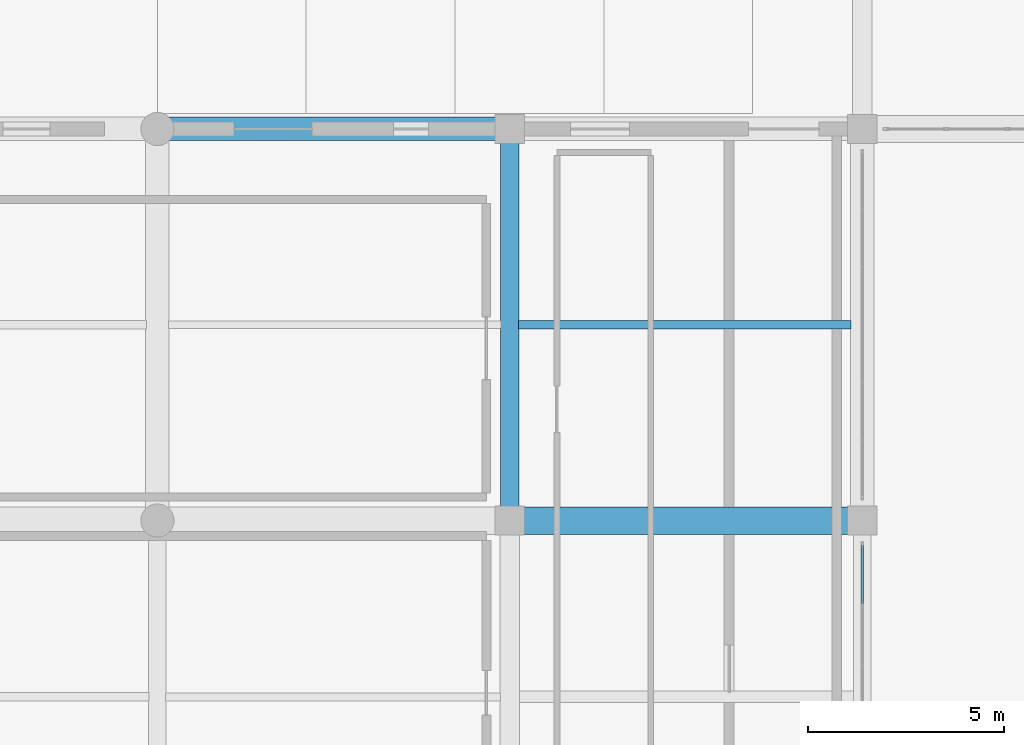
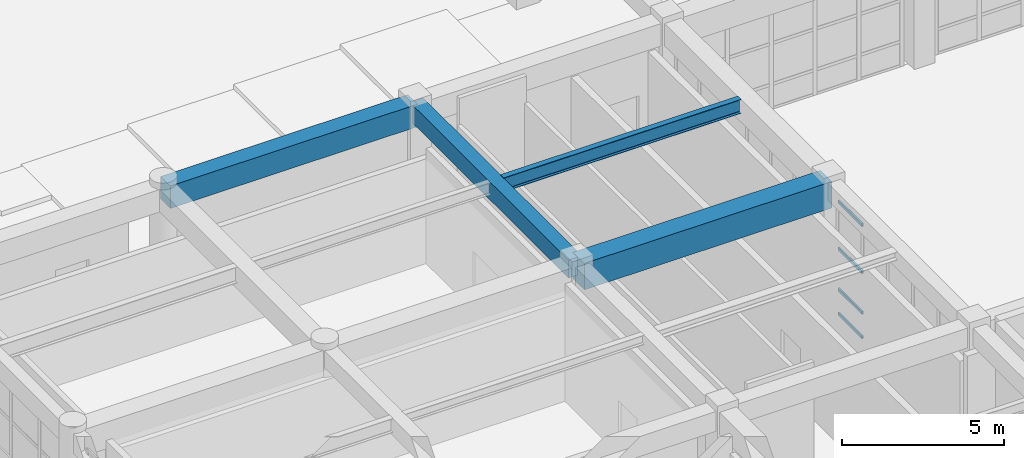
# One storey, part 24 of 128: 4 beams, 4 members, 1 element without a shape of its own.
"""IFC4 building model written with IfcOpenShell, lengths in metres."""

from ifc_helpers import new_model, si_unit, direction, frame, origin, origin_2d, place, context, subcontext, project, spatial, rectangle, hollow_rectangle, i_section, extrude, material, material_profile, profile_set, type_object, element, aggregate, save


model = new_model("IFC4")

# Units and contexts
model_context = context("Model", 3, precision=1e-05, world=origin(), true_north=direction((0.0, 1.0)))
body_context = subcontext(model_context, "Body", "Model", "MODEL_VIEW")
ifc_project = project(units=[si_unit("LENGTHUNIT", "METRE"), si_unit("AREAUNIT", "SQUARE_METRE"), si_unit("VOLUMEUNIT", "CUBIC_METRE"), si_unit("PLANEANGLEUNIT", "RADIAN"), si_unit("MASSUNIT", "GRAM", prefix="KILO")], contexts=[model_context])

# Site, building, storey
site_placement = place(None, origin())
site = spatial("IfcSite", under=ifc_project, at=site_placement, CompositionType="ELEMENT")
building_placement = place(site_placement, origin())
building = spatial("IfcBuilding", under=site, at=building_placement, Name="Miravela Opera House", CompositionType="ELEMENT")
storey_placement = place(building_placement, origin())
storey = spatial("IfcBuildingStorey", under=building, at=storey_placement, Name="L00", CompositionType="ELEMENT", Elevation=0.0)

# Curtain wall, members
ifc_material_1 = material(Name="Anodised architectural bronze aluminium 6063-T6", Category="aluminium")
curtain_wall_type = type_object("IfcCurtainWallType", Name="ARC-CW-06", PredefinedType="NOTDEFINED", material=ifc_material_1)
curtain_wall_placement = place(storey_placement, origin())
curtain_wall = element("IfcCurtainWall", 1, at=curtain_wall_placement, inside=storey, type_object=curtain_wall_type, Name="Courtyard Arcade Curtain Wall CW-L00-121", PredefinedType="NOTDEFINED")
ifc_material_profile_1 = material_profile(ifc_material_1, hollow_rectangle(XDim=0.06005859375, YDim=0.114990234375, WallThickness=0.00390625, InnerFilletRadius=0.001953125, OuterFilletRadius=0.00390625, at=origin_2d()), Name="CWT-60X115")
ifc_profile_set_1 = profile_set([ifc_material_profile_1])
member_type = type_object("IfcMemberType", Name="ARC-CWT-115", PredefinedType="USERDEFINED", material=ifc_profile_set_1)
member_1_placement = place(storey_placement, frame((27.0, 15.882080078125, 0.030029296875), z_axis=(0.0, 1.0, 0.0), x_axis=(-1.0, 0.0, 0.0)))
member_1 = element("IfcMember", 2, at=member_1_placement, type_object=member_type, Name="CW-06 transom 5.1", ObjectType="TRANSOM", PredefinedType="USERDEFINED", context=body_context, shape_type="SweptSolid", body=[
    extrude(hollow_rectangle(XDim=0.06005859375, YDim=0.114990234375, WallThickness=0.00390625, InnerFilletRadius=0.001953125, OuterFilletRadius=0.00390625, at=origin_2d()), origin(), (0.0, 0.0, 1.0), 1.47802734375),
])
member_2_placement = place(storey_placement, frame((27.0, 15.882080078125, 0.949951171875), z_axis=(0.0, 1.0, 0.0), x_axis=(-1.0, 0.0, 0.0)))
member_2 = element("IfcMember", 3, at=member_2_placement, type_object=member_type, Name="CW-06 transom 5.2", ObjectType="TRANSOM", PredefinedType="USERDEFINED", context=body_context, shape_type="SweptSolid", body=[
    extrude(hollow_rectangle(XDim=0.06005859375, YDim=0.114990234375, WallThickness=0.00390625, InnerFilletRadius=0.001953125, OuterFilletRadius=0.00390625, at=origin_2d()), origin(), (0.0, 0.0, 1.0), 1.47802734375),
])
member_3_placement = place(storey_placement, frame((27.0, 15.882080078125, 2.493896484375), z_axis=(0.0, 1.0, 0.0), x_axis=(-1.0, 0.0, 0.0)))
member_3 = element("IfcMember", 4, at=member_3_placement, type_object=member_type, Name="CW-06 transom 5.3", ObjectType="TRANSOM", PredefinedType="USERDEFINED", context=body_context, shape_type="SweptSolid", body=[
    extrude(hollow_rectangle(XDim=0.06005859375, YDim=0.114990234375, WallThickness=0.00390625, InnerFilletRadius=0.001953125, OuterFilletRadius=0.00390625, at=origin_2d()), origin(), (0.0, 0.0, 1.0), 1.47802734375),
])
member_4_placement = place(storey_placement, frame((27.0, 15.882080078125, 4.27001953125), z_axis=(0.0, 1.0, 0.0), x_axis=(-1.0, 0.0, 0.0)))
member_4 = element("IfcMember", 5, at=member_4_placement, type_object=member_type, Name="CW-06 transom 5.4", ObjectType="TRANSOM", PredefinedType="USERDEFINED", context=body_context, shape_type="SweptSolid", body=[
    extrude(hollow_rectangle(XDim=0.06005859375, YDim=0.114990234375, WallThickness=0.00390625, InnerFilletRadius=0.001953125, OuterFilletRadius=0.00390625, at=origin_2d()), origin(), (0.0, 0.0, 1.0), 1.47802734375),
])
aggregate(curtain_wall, [member_1, member_2, member_3, member_4])

# Beams
ifc_material_2 = material(Name="Concrete C35/45", Category="concrete")
ifc_material_profile_2 = material_profile(ifc_material_2, rectangle(XDim=0.47998046875, YDim=0.679931640625, at=origin_2d()), Name="RC-BM-480X680")
ifc_profile_set_2 = profile_set([ifc_material_profile_2])
beam_type_1 = type_object("IfcBeamType", Name="STR-BM-RC480X680", PredefinedType="BEAM", material=ifc_profile_set_2)
beam_1_placement = place(storey_placement, frame((18.0, 18.080078125, 4.510009765625), z_axis=(0.0, 1.0, 0.0), x_axis=(-1.0, 0.0, 0.0)))
element("IfcBeam", 6, at=beam_1_placement, inside=storey, type_object=beam_type_1, Name="Floor Girder L00 3/C-D", PredefinedType="BEAM", context=body_context, shape_type="SweptSolid", body=[
    extrude(rectangle(XDim=0.47998046875, YDim=0.679931640625, at=origin_2d()), origin(), (0.0, 0.0, 1.0), 9.83984375),
])
ifc_material_3 = material(Name="Concrete C40/50", Category="concrete")
ifc_material_profile_3 = material_profile(ifc_material_3, rectangle(XDim=0.60009765625, YDim=0.85009765625, at=origin_2d()), Name="RC-BM-600X850")
ifc_profile_set_3 = profile_set([ifc_material_profile_3])
beam_type_2 = type_object("IfcBeamType", Name="STR-BM-RC600X850", PredefinedType="BEAM", material=ifc_profile_set_3)
beam_2_placement = place(storey_placement, frame((9.080078125, 28.0, 4.425048828125), z_axis=(1.0, 0.0, 0.0), x_axis=(0.0, 1.0, 0.0)))
element("IfcBeam", 7, at=beam_2_placement, inside=storey, type_object=beam_type_2, Name="Floor Girder L00 2-3/D", PredefinedType="BEAM", context=body_context, shape_type="SweptSolid", body=[
    extrude(rectangle(XDim=0.60009765625, YDim=0.85009765625, at=origin_2d()), origin(), (0.0, 0.0, 1.0), 8.83984375),
])
ifc_material_profile_4 = material_profile(ifc_material_3, rectangle(XDim=0.699951171875, YDim=1.0, at=origin_2d()), Name="RC-BM-700X1000")
ifc_profile_set_4 = profile_set([ifc_material_profile_4])
beam_type_3 = type_object("IfcBeamType", Name="STR-BM-RC700X1000", PredefinedType="BEAM", material=ifc_profile_set_4)
beam_3_placement = place(storey_placement, frame((18.080078125, 18.0, 4.3701171875), z_axis=(1.0, 0.0, 0.0), x_axis=(0.0, 1.0, 0.0)))
element("IfcBeam", 8, at=beam_3_placement, inside=storey, type_object=beam_type_3, Name="Floor Girder L00 3-4/C", PredefinedType="BEAM", context=body_context, shape_type="SweptSolid", body=[
    extrude(rectangle(XDim=0.699951171875, YDim=1.0, at=origin_2d()), origin(), (0.0, 0.0, 1.0), 8.83984375),
])
ifc_material_4 = material(Name="Structural steel ASTM A992 Gr. 50", Category="steel")
ifc_material_profile_5 = material_profile(ifc_material_4, i_section(OverallWidth=0.208984375, OverallDepth=0.532958984375, WebThickness=0.01025390625, FlangeThickness=0.015625, FilletRadius=0.014892578125, at=origin_2d()), Name="W530X92")
ifc_profile_set_5 = profile_set([ifc_material_profile_5])
beam_type_4 = type_object("IfcBeamType", Name="STR-BM-W530X92", PredefinedType="BEAM", material=ifc_profile_set_5)
beam_4_placement = place(storey_placement, frame((18.22509765625, 23.0, 4.603515625), z_axis=(1.0, 0.0, 0.0), x_axis=(0.0, 1.0, 0.0)))
element("IfcBeam", 9, at=beam_4_placement, inside=storey, type_object=beam_type_4, Name="Secondary Floor Joist L00 3-4/C-D", PredefinedType="BEAM", context=body_context, shape_type="SweptSolid", body=[
    extrude(i_section(OverallWidth=0.208984375, OverallDepth=0.532958984375, WebThickness=0.01025390625, FlangeThickness=0.015625, FilletRadius=0.014892578125, at=origin_2d()), origin(), (0.0, 0.0, 1.0), 8.489990234375),
])

save(model, "model.ifc")
